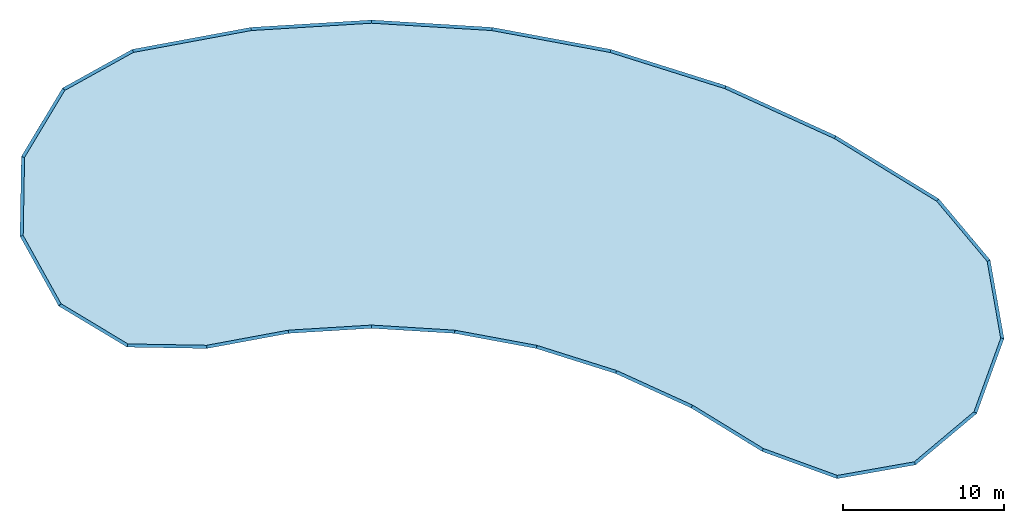
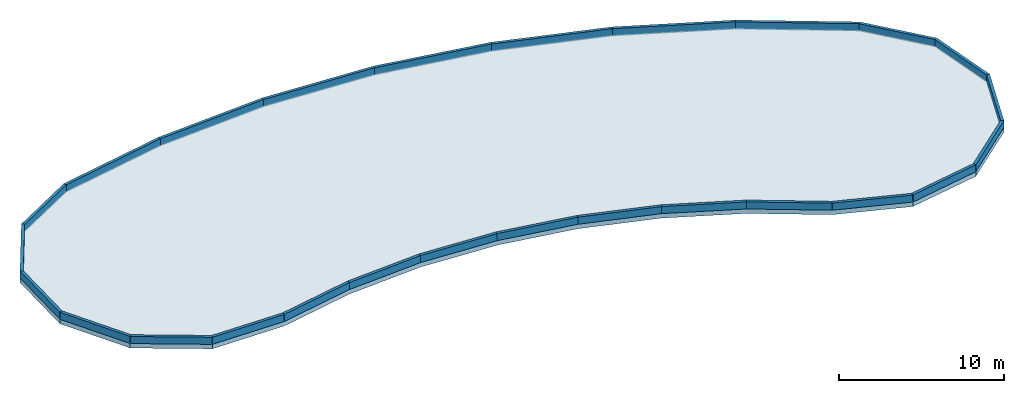
# One storey, part 1 of 2: 26 walls, 1 slab.
"""IFC4 building model written with IfcOpenShell, lengths in metres."""

from ifc_helpers import new_model, si_unit, direction, frame, frame_2d, origin, place, context, subcontext, project, spatial, polyline, rectangle, outline, extrude, material, layer, layer_set, type_object, element, save


model = new_model("IFC4")

# Units and contexts
model_context = context("Model", 3, precision=1e-05, world=origin(), true_north=direction((0.0, 1.0)))
body_context = subcontext(model_context, "Body", "Model", "MODEL_VIEW")
ifc_project = project(units=[si_unit("LENGTHUNIT", "METRE"), si_unit("AREAUNIT", "SQUARE_METRE"), si_unit("VOLUMEUNIT", "CUBIC_METRE"), si_unit("PLANEANGLEUNIT", "RADIAN"), si_unit("MASSUNIT", "GRAM", prefix="KILO")], contexts=[model_context])

# Site, building, storey
site_placement = place(None, origin())
site = spatial("IfcSite", under=ifc_project, at=site_placement, CompositionType="ELEMENT")
building_placement = place(site_placement, origin())
building = spatial("IfcBuilding", under=site, at=building_placement, Name="Tarnwether General Hospital", CompositionType="ELEMENT")
storey_placement = place(building_placement, frame((0.0, 0.0, 33.89990234375)))
storey = spatial("IfcBuildingStorey", under=building, at=storey_placement, Name="RF", CompositionType="ELEMENT", Elevation=33.89990234375)

# Slab
ifc_material_1 = material(Name="Concrete 40 MPa", Category="concrete")
ifc_layer_1 = layer(ifc_material_1, 0.330078125)
ifc_layer_set_1 = layer_set([ifc_layer_1], Name="Concrete 40 MPa")
slab_type = type_object("IfcSlabType", Name="SL-RF200", PredefinedType="ROOF", material=ifc_layer_set_1)
slab_placement = place(storey_placement, origin())
element("IfcSlab", 1, at=slab_placement, inside=storey, type_object=slab_type, Name="RF North-West Curved Ward Main Roof SL-RF-WNW", PredefinedType="ROOF", context=body_context, shape_type="SweptSolid", body=[
    extrude(outline(polyline([(72.7509765625, 120.361083984375), (70.19189453125, 116.10107421875), (70.10498046875, 111.133056640625), (72.513916015625, 106.787109375), (76.77392578125, 104.22705078125), (81.742919921875, 104.14111328125), (86.8330078125, 105.083984375), (92.0, 105.39990234375), (97.1669921875, 105.083984375), (102.257080078125, 104.14111328125), (107.195068359375, 102.583984375), (111.906005859375, 100.43701171875), (116.320068359375, 97.73193359375), (120.989013671875, 96.031982421875), (125.883056640625, 96.89501953125), (129.68994140625, 100.090087890625), (131.388916015625, 104.759033203125), (130.527099609375, 109.653076171875), (127.33203125, 113.4599609375), (120.9189453125, 117.389892578125), (114.074951171875, 120.509033203125), (106.902099609375, 122.77001953125), (99.507080078125, 124.14111328125), (92.0, 124.60009765625), (84.492919921875, 124.14111328125), (77.097900390625, 122.77001953125), (72.7509765625, 120.361083984375)])), origin(), (0.0, 0.0, 1.0), 0.330078125),
])

# Walls
ifc_material_2 = material(Name="Precast concrete 40 MPa", Category="concrete")
ifc_layer_2 = layer(ifc_material_2, 0.199951171875)
ifc_layer_set_2 = layer_set([ifc_layer_2], Name="Precast concrete 40 MPa")
wall_type = type_object("IfcWallType", Name="WL-PR200", PredefinedType="PARAPET", material=ifc_layer_set_2)
wall_1_placement = place(storey_placement, frame((72.822998046875, 120.287109375, 0.330078125), z_axis=(0.0, 0.0, 1.0), x_axis=(0.874673385359, 0.484712769529, 0.0)))
element("IfcWall", 2, at=wall_1_placement, inside=storey, type_object=wall_type, Name="Flat Roof Parapet EW-RF-0409", PredefinedType="PARAPET", context=body_context, shape_type="SweptSolid", body=[
    extrude(rectangle(XDim=4.926513671875, YDim=0.199951171875, at=frame_2d((2.46337890625, 0.0))), origin(), (0.0, 0.0, 1.0), 0.52001953125),
])
wall_2_placement = place(storey_placement, frame((77.132080078125, 122.675048828125, 0.330078125), z_axis=(0.0, 0.0, 1.0), x_axis=(0.983243551595, 0.182296786165, 0.0)))
element("IfcWall", 3, at=wall_2_placement, inside=storey, type_object=wall_type, Name="Flat Roof Parapet EW-RF-0410", PredefinedType="PARAPET", context=body_context, shape_type="SweptSolid", body=[
    extrude(rectangle(XDim=7.49853515625, YDim=0.199951171875, at=frame_2d((3.749267578125, 0.0))), origin(), (0.0, 0.0, 1.0), 0.52001953125),
])
for number, where, z_axis, x_axis, name in (
    (4, (84.5048828125, 124.0419921875, 0.330078125), (0.0, 0.0, 1.0), (0.998138149887, 0.060993718866, 0.0), "Flat Roof Parapet EW-RF-0411"),
    (5, (92.0, 124.5, 0.330078125), (0.0, 0.0, 1.0), (0.998138149887, -0.060993718866, 0.0), "Flat Roof Parapet EW-RF-0412"),
):
    element("IfcWall", number, at=place(storey_placement, frame(where, z_axis=z_axis, x_axis=x_axis)), inside=storey, type_object=wall_type, Name=name, PredefinedType="PARAPET", context=body_context, shape_type="SweptSolid", body=[
        extrude(rectangle(XDim=7.509033203125, YDim=0.199951171875, at=frame_2d((3.75439453125, 0.0))), origin(), (0.0, 0.0, 1.0), 0.52001953125),
    ])
wall_3_placement = place(storey_placement, frame((99.4951171875, 124.0419921875, 0.330078125), z_axis=(0.0, 0.0, 1.0), x_axis=(0.983241229315, -0.182309311269, 0.0)))
element("IfcWall", 6, at=wall_3_placement, inside=storey, type_object=wall_type, Name="Flat Roof Parapet EW-RF-0413", PredefinedType="PARAPET", context=body_context, shape_type="SweptSolid", body=[
    extrude(rectangle(XDim=7.508544921875, YDim=0.199951171875, at=frame_2d((3.75439453125, 0.0))), origin(), (0.0, 0.0, 1.0), 0.52001953125),
])
for number, where, z_axis, x_axis, name in (
    (7, (106.8779296875, 122.673095703125, 0.330078125), (0.0, 0.0, 1.0), (0.95371083423, -0.300725197934, 0.0), "Flat Roof Parapet EW-RF-0414"),
    (8, (114.0390625, 120.4150390625, 0.330078125), (0.0, 0.0, 1.0), (0.910008703844, -0.41458914473, 0.0), "Flat Roof Parapet EW-RF-0415"),
):
    element("IfcWall", number, at=place(storey_placement, frame(where, z_axis=z_axis, x_axis=x_axis)), inside=storey, type_object=wall_type, Name=name, PredefinedType="PARAPET", context=body_context, shape_type="SweptSolid", body=[
        extrude(rectangle(XDim=7.5087890625, YDim=0.199951171875, at=frame_2d((3.75439453125, 0.0))), origin(), (0.0, 0.0, 1.0), 0.52001953125),
    ])
wall_4_placement = place(storey_placement, frame((120.8720703125, 117.302001953125, 0.330078125), z_axis=(0.0, 0.0, 1.0), x_axis=(0.852600316655, -0.522563584687, 0.0)))
element("IfcWall", 9, at=wall_4_placement, inside=storey, type_object=wall_type, Name="Flat Roof Parapet EW-RF-0416", PredefinedType="PARAPET", context=body_context, shape_type="SweptSolid", body=[
    extrude(rectangle(XDim=7.49951171875, YDim=0.199951171875, at=frame_2d((3.749755859375, 0.0))), origin(), (0.0, 0.0, 1.0), 0.52001953125),
])
wall_5_placement = place(storey_placement, frame((127.26611328125, 113.383056640625, 0.330078125), z_axis=(0.0, 0.0, 1.0), x_axis=(0.642798043125, -0.766035688303, 0.0)))
element("IfcWall", 10, at=wall_5_placement, inside=storey, type_object=wall_type, Name="Flat Roof Parapet EW-RF-0417", PredefinedType="PARAPET", context=body_context, shape_type="SweptSolid", body=[
    extrude(rectangle(XDim=4.927001953125, YDim=0.199951171875, at=frame_2d((2.46337890625, 0.0))), origin(), (0.0, 0.0, 1.0), 0.52001953125),
])
wall_6_placement = place(storey_placement, frame((130.43310546875, 109.60888671875, 0.330078125), z_axis=(0.0, 0.0, 1.0), x_axis=(0.173493479801, -0.984835017892, 0.0)))
element("IfcWall", 11, at=wall_6_placement, inside=storey, type_object=wall_type, Name="Flat Roof Parapet EW-RF-0418", PredefinedType="PARAPET", context=body_context, shape_type="SweptSolid", body=[
    extrude(rectangle(XDim=4.915283203125, YDim=0.199951171875, at=frame_2d((2.45751953125, 0.0))), origin(), (0.0, 0.0, 1.0), 0.52001953125),
])
wall_7_placement = place(storey_placement, frame((131.285888671875, 104.76806640625, 0.330078125), z_axis=(0.0, 0.0, 1.0), x_axis=(-0.341962389419, -0.939713639479, 0.0)))
element("IfcWall", 12, at=wall_7_placement, inside=storey, type_object=wall_type, Name="Flat Roof Parapet EW-RF-0419", PredefinedType="PARAPET", context=body_context, shape_type="SweptSolid", body=[
    extrude(rectangle(XDim=4.91552734375, YDim=0.199951171875, at=frame_2d((2.457763671875, 0.0))), origin(), (0.0, 0.0, 1.0), 0.52001953125),
])
wall_8_placement = place(storey_placement, frame((129.60498046875, 100.14892578125, 0.330078125), z_axis=(0.0, 0.0, 1.0), x_axis=(-0.766047177348, -0.642784351145, 0.0)))
element("IfcWall", 13, at=wall_8_placement, inside=storey, type_object=wall_type, Name="Flat Roof Parapet EW-RF-0420", PredefinedType="PARAPET", context=body_context, shape_type="SweptSolid", body=[
    extrude(rectangle(XDim=4.916015625, YDim=0.199951171875, at=frame_2d((2.4580078125, 0.0))), origin(), (0.0, 0.0, 1.0), 0.52001953125),
])
wall_9_placement = place(storey_placement, frame((125.839111328125, 96.989013671875, 0.330078125), z_axis=(0.0, 0.0, 1.0), x_axis=(-0.984794056527, -0.173725836388, 0.0)))
element("IfcWall", 14, at=wall_9_placement, inside=storey, type_object=wall_type, Name="Flat Roof Parapet EW-RF-0421", PredefinedType="PARAPET", context=body_context, shape_type="SweptSolid", body=[
    extrude(rectangle(XDim=4.915771484375, YDim=0.199951171875, at=frame_2d((2.4580078125, 0.0))), origin(), (0.0, 0.0, 1.0), 0.52001953125),
])
wall_10_placement = place(storey_placement, frame((120.998046875, 96.135009765625, 0.330078125), z_axis=(0.0, 0.0, 1.0), x_axis=(-0.939605389057, 0.342259715502, 0.0)))
element("IfcWall", 15, at=wall_10_placement, inside=storey, type_object=wall_type, Name="Flat Roof Parapet EW-RF-0422", PredefinedType="PARAPET", context=body_context, shape_type="SweptSolid", body=[
    extrude(rectangle(XDim=4.931884765625, YDim=0.199951171875, at=frame_2d((2.4658203125, 0.0))), origin(), (0.0, 0.0, 1.0), 0.52001953125),
])
wall_11_placement = place(storey_placement, frame((116.364013671875, 97.822998046875, 0.330078125), z_axis=(0.0, 0.0, 1.0), x_axis=(-0.852728896112, 0.522353740041, 0.0)))
element("IfcWall", 16, at=wall_11_placement, inside=storey, type_object=wall_type, Name="Flat Roof Parapet EW-RF-0423", PredefinedType="PARAPET", context=body_context, shape_type="SweptSolid", body=[
    extrude(rectangle(XDim=5.1669921875, YDim=0.199951171875, at=frame_2d((2.58349609375, 0.0))), origin(), (0.0, 0.0, 1.0), 0.52001953125),
])
wall_12_placement = place(storey_placement, frame((111.947021484375, 100.528076171875, 0.330078125), z_axis=(0.0, 0.0, 1.0), x_axis=(-0.909955822384, 0.414705198074, 0.0)))
element("IfcWall", 17, at=wall_12_placement, inside=storey, type_object=wall_type, Name="Flat Roof Parapet EW-RF-0424", PredefinedType="PARAPET", context=body_context, shape_type="SweptSolid", body=[
    extrude(rectangle(XDim=5.177001953125, YDim=0.199951171875, at=frame_2d((2.58837890625, 0.0))), origin(), (0.0, 0.0, 1.0), 0.52001953125),
])
wall_13_placement = place(storey_placement, frame((107.22509765625, 102.678955078125, 0.330078125), z_axis=(0.0, 0.0, 1.0), x_axis=(-0.953706582316, 0.300738681994, 0.0)))
element("IfcWall", 18, at=wall_13_placement, inside=storey, type_object=wall_type, Name="Flat Roof Parapet EW-RF-0425", PredefinedType="PARAPET", context=body_context, shape_type="SweptSolid", body=[
    extrude(rectangle(XDim=5.177734375, YDim=0.199951171875, at=frame_2d((2.5888671875, 0.0))), origin(), (0.0, 0.0, 1.0), 0.52001953125),
])
wall_14_placement = place(storey_placement, frame((102.27490234375, 104.239013671875, 0.330078125), z_axis=(0.0, 0.0, 1.0), x_axis=(-0.983271369555, 0.182146682138, 0.0)))
element("IfcWall", 19, at=wall_14_placement, inside=storey, type_object=wall_type, Name="Flat Roof Parapet EW-RF-0426", PredefinedType="PARAPET", context=body_context, shape_type="SweptSolid", body=[
    extrude(rectangle(XDim=5.176513671875, YDim=0.199951171875, at=frame_2d((2.58837890625, 0.0))), origin(), (0.0, 0.0, 1.0), 0.52001953125),
])
for number, where, z_axis, x_axis, name in (
    (20, (97.173095703125, 105.18408203125, 0.330078125), (0.0, 0.0, 1.0), (-0.998136079034, 0.061027598104, 0.0), "Flat Roof Parapet EW-RF-0427"),
    (21, (91.993896484375, 105.5, 0.330078125), (0.0, 0.0, 1.0), (-0.998136079034, -0.061027598104, 0.0), "Flat Roof Parapet EW-RF-0428"),
):
    element("IfcWall", number, at=place(storey_placement, frame(where, z_axis=z_axis, x_axis=x_axis)), inside=storey, type_object=wall_type, Name=name, PredefinedType="PARAPET", context=body_context, shape_type="SweptSolid", body=[
        extrude(rectangle(XDim=5.1767578125, YDim=0.199951171875, at=frame_2d((2.58837890625, 0.0))), origin(), (0.0, 0.0, 1.0), 0.52001953125),
    ])
wall_15_placement = place(storey_placement, frame((86.81494140625, 105.181884765625, 0.330078125), z_axis=(0.0, 0.0, 1.0), x_axis=(-0.983274796593, -0.182128181192, 0.0)))
element("IfcWall", 22, at=wall_15_placement, inside=storey, type_object=wall_type, Name="Flat Roof Parapet EW-RF-0429", PredefinedType="PARAPET", context=body_context, shape_type="SweptSolid", body=[
    extrude(rectangle(XDim=5.166259765625, YDim=0.199951171875, at=frame_2d((2.5830078125, 0.0))), origin(), (0.0, 0.0, 1.0), 0.52001953125),
])
wall_16_placement = place(storey_placement, frame((81.735107421875, 104.240966796875, 0.330078125), z_axis=(0.0, 0.0, 1.0), x_axis=(-0.999848236364, 0.017421373092, 0.0)))
element("IfcWall", 23, at=wall_16_placement, inside=storey, type_object=wall_type, Name="Flat Roof Parapet EW-RF-0430", PredefinedType="PARAPET", context=body_context, shape_type="SweptSolid", body=[
    extrude(rectangle(XDim=4.932861328125, YDim=0.199951171875, at=frame_2d((2.46630859375, 0.0))), origin(), (0.0, 0.0, 1.0), 0.52001953125),
])
wall_17_placement = place(storey_placement, frame((76.802978515625, 104.326904296875, 0.330078125), z_axis=(0.0, 0.0, 1.0), x_axis=(-0.857229953895, 0.514933788117, 0.0)))
element("IfcWall", 24, at=wall_17_placement, inside=storey, type_object=wall_type, Name="Flat Roof Parapet EW-RF-0431", PredefinedType="PARAPET", context=body_context, shape_type="SweptSolid", body=[
    extrude(rectangle(XDim=4.9169921875, YDim=0.199951171875, at=frame_2d((2.45849609375, 0.0))), origin(), (0.0, 0.0, 1.0), 0.52001953125),
])
wall_18_placement = place(storey_placement, frame((72.587890625, 106.85888671875, 0.330078125), z_axis=(0.0, 0.0, 1.0), x_axis=(-0.484778156382, 0.874637147104, 0.0)))
element("IfcWall", 25, at=wall_18_placement, inside=storey, type_object=wall_type, Name="Flat Roof Parapet EW-RF-0432", PredefinedType="PARAPET", context=body_context, shape_type="SweptSolid", body=[
    extrude(rectangle(XDim=4.915283203125, YDim=0.199951171875, at=frame_2d((2.45751953125, 0.0))), origin(), (0.0, 0.0, 1.0), 0.52001953125),
])
wall_19_placement = place(storey_placement, frame((70.205078125, 111.157958984375, 0.330078125), z_axis=(0.0, 0.0, 1.0), x_axis=(0.01768403868, 0.999843625161, 0.0)))
element("IfcWall", 26, at=wall_19_placement, inside=storey, type_object=wall_type, Name="Flat Roof Parapet EW-RF-0433", PredefinedType="PARAPET", context=body_context, shape_type="SweptSolid", body=[
    extrude(rectangle(XDim=4.914794921875, YDim=0.199951171875, at=frame_2d((2.45751953125, 0.0))), origin(), (0.0, 0.0, 1.0), 0.52001953125),
])
wall_20_placement = place(storey_placement, frame((70.2919921875, 116.072021484375, 0.330078125), z_axis=(0.0, 0.0, 1.0), x_axis=(0.514787822005, 0.857317618106, 0.0)))
element("IfcWall", 27, at=wall_20_placement, inside=storey, type_object=wall_type, Name="Flat Roof Parapet EW-RF-0434", PredefinedType="PARAPET", context=body_context, shape_type="SweptSolid", body=[
    extrude(rectangle(XDim=4.91650390625, YDim=0.199951171875, at=frame_2d((2.458251953125, 0.0))), origin(), (0.0, 0.0, 1.0), 0.52001953125),
])

save(model, "model.ifc")
